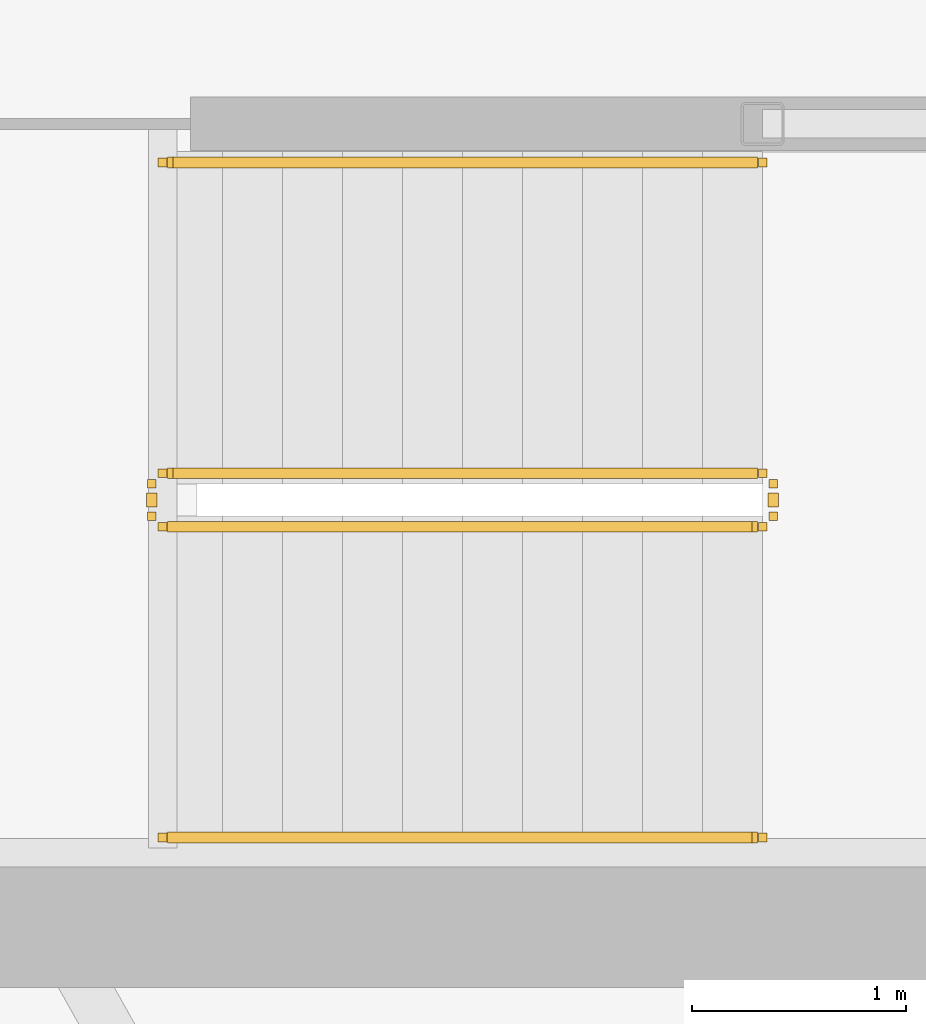
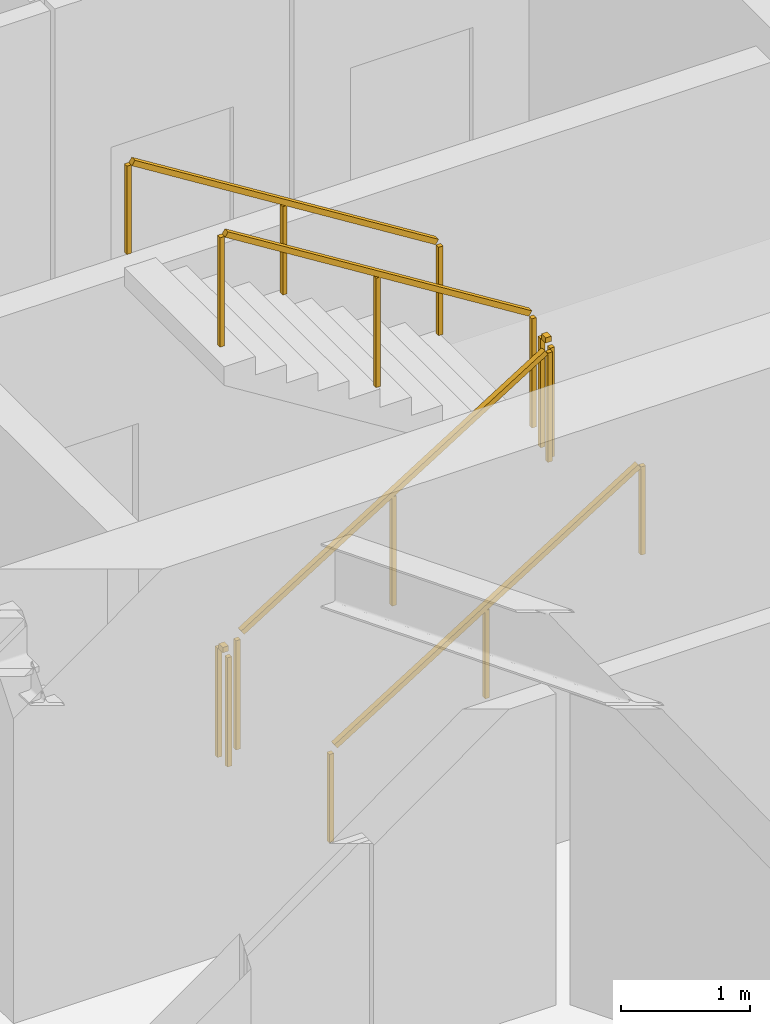
# One storey, part 27 of 30: 6 railings.
"""IFC4 building model written with IfcOpenShell, lengths in metres."""

from ifc_helpers import new_model, si_unit, direction, frame, origin, origin_2d, place, context, subcontext, project, spatial, rectangle, extrude, material, type_object, element, save


model = new_model("IFC4")

# Units and contexts
model_context = context("Model", 3, precision=1e-05, world=origin(), true_north=direction((0.0, 1.0)))
body_context = subcontext(model_context, "Body", "Model", "MODEL_VIEW")
ifc_project = project(units=[si_unit("LENGTHUNIT", "METRE"), si_unit("AREAUNIT", "SQUARE_METRE"), si_unit("VOLUMEUNIT", "CUBIC_METRE"), si_unit("PLANEANGLEUNIT", "RADIAN"), si_unit("MASSUNIT", "GRAM", prefix="KILO")], contexts=[model_context])

# Site, building, storey
site_placement = place(None, origin())
site = spatial("IfcSite", under=ifc_project, at=site_placement, CompositionType="ELEMENT")
building_placement = place(site_placement, origin())
building = spatial("IfcBuilding", under=site, at=building_placement, Name="Kazma Halo Residences", CompositionType="ELEMENT")
storey_placement = place(building_placement, frame((0.0, 0.0, 236.699951171875)))
storey = spatial("IfcBuildingStorey", under=building, at=storey_placement, Name="L59", CompositionType="ELEMENT", Elevation=236.699951171875)

# Railings
ifc_material_1 = material(Name="Painted Steel S355", Category="steel")
railing_type_1 = type_object("IfcRailingType", Name="RLG-STAIR-GRD-1100", PredefinedType="GUARDRAIL", material=ifc_material_1)
railing_1_placement = place(storey_placement, frame((53.199951171875, 35.5, 0.175048828125)))
element("IfcRailing", 1, at=railing_1_placement, inside=storey, type_object=railing_type_1, Name="L59 ST-03 stair guard 1", PredefinedType="GUARDRAIL", context=body_context, shape_type="SweptSolid", body=[
    extrude(rectangle(XDim=0.050048828125, YDim=0.050048828125, at=origin_2d()), frame((0.0361328125, 0.0, 1.09765625), z_axis=(0.848002457836, 0.0, 0.529992293815), x_axis=(0.0, 1.0, 0.0)), (0.0, 0.0, 1.0), 3.216796875),
    extrude(rectangle(XDim=0.0400390625, YDim=0.0400390625, at=origin_2d()), origin(), (0.0, 0.0, 1.0), 1.0380859375),
    extrude(rectangle(XDim=0.0400390625, YDim=0.0400390625, at=origin_2d()), frame((1.39990234375, 0.0, 0.875)), (0.0, 0.0, 1.0), 1.0380859375),
    extrude(rectangle(XDim=0.0400390625, YDim=0.0400390625, at=origin_2d()), frame((2.800048828125, 0.0, 1.75)), (0.0, 0.0, 1.0), 1.0380859375),
])
railing_2_placement = place(storey_placement, frame((56.050048828125, 35.550048828125, 1.925048828125)))
element("IfcRailing", 2, at=railing_2_placement, inside=storey, type_object=railing_type_1, Name="L59 ST-03 stair guard 2", PredefinedType="GUARDRAIL", context=body_context, shape_type="SweptSolid", body=[
    extrude(rectangle(XDim=0.050048828125, YDim=0.050048828125, at=origin_2d()), frame((0.0, 0.04248046875, 1.0751953125), z_axis=(0.0, 1.0, 0.0), x_axis=(-1.0, 0.0, 0.0)), (0.0, 0.0, 1.0), 0.06494140625),
    extrude(rectangle(XDim=0.0400390625, YDim=0.0400390625, at=origin_2d()), origin(), (0.0, 0.0, 1.0), 1.0380859375),
    extrude(rectangle(XDim=0.0400390625, YDim=0.0400390625, at=origin_2d()), frame((0.0, 0.14990234375, 0.0)), (0.0, 0.0, 1.0), 1.0380859375),
])
railing_3_placement = place(storey_placement, frame((56.0, 35.75, 2.10009765625)))
element("IfcRailing", 3, at=railing_3_placement, inside=storey, type_object=railing_type_1, Name="L59 ST-03 stair guard 3", PredefinedType="GUARDRAIL", context=body_context, shape_type="SweptSolid", body=[
    extrude(rectangle(XDim=0.050048828125, YDim=0.050048828125, at=origin_2d()), frame((-0.0361328125, 0.0, 1.09765625), z_axis=(-0.848002457836, 0.0, 0.529992293815), x_axis=(0.0, -1.0, 0.0)), (0.0, 0.0, 1.0), 3.216796875),
    extrude(rectangle(XDim=0.0400390625, YDim=0.0400390625, at=origin_2d()), origin(), (0.0, 0.0, 1.0), 1.0380859375),
    extrude(rectangle(XDim=0.0400390625, YDim=0.0400390625, at=origin_2d()), frame((-1.39990234375, 0.0, 0.875)), (0.0, 0.0, 1.0), 1.0380859375),
    extrude(rectangle(XDim=0.0400390625, YDim=0.0400390625, at=origin_2d()), frame((-2.800048828125, 0.0, 1.75)), (0.0, 0.0, 1.0), 1.0380859375),
])
railing_4_placement = place(storey_placement, frame((53.14990234375, 35.550048828125, 0.0)))
element("IfcRailing", 4, at=railing_4_placement, inside=storey, type_object=railing_type_1, Name="L59 ST-03 stair guard 4", PredefinedType="GUARDRAIL", context=body_context, shape_type="SweptSolid", body=[
    extrude(rectangle(XDim=0.050048828125, YDim=0.050048828125, at=origin_2d()), frame((0.0, 0.04248046875, 1.0751953125), z_axis=(0.0, 1.0, 0.0), x_axis=(-1.0, 0.0, 0.0)), (0.0, 0.0, 1.0), 0.06494140625),
    extrude(rectangle(XDim=0.0400390625, YDim=0.0400390625, at=origin_2d()), origin(), (0.0, 0.0, 1.0), 1.0380859375),
    extrude(rectangle(XDim=0.0400390625, YDim=0.0400390625, at=origin_2d()), frame((0.0, 0.14990234375, 0.0)), (0.0, 0.0, 1.0), 1.0380859375),
])
ifc_material_2 = material(Name="Brushed Stainless Steel", Category="steel")
railing_type_2 = type_object("IfcRailingType", Name="RLG-STAIR-HND-900", PredefinedType="HANDRAIL", material=ifc_material_2)
railing_5_placement = place(storey_placement, frame((53.199951171875, 34.050048828125, 0.175048828125)))
element("IfcRailing", 5, at=railing_5_placement, inside=storey, type_object=railing_type_2, Name="L59 ST-03 stair handrail 1", PredefinedType="HANDRAIL", context=body_context, shape_type="SweptSolid", body=[
    extrude(rectangle(XDim=0.050048828125, YDim=0.050048828125, at=origin_2d()), frame((0.0361328125, 0.0, 0.8974609375), z_axis=(0.848002457836, 0.0, 0.529992293815), x_axis=(0.0, 1.0, 0.0)), (0.0, 0.0, 1.0), 3.216796875),
    extrude(rectangle(XDim=0.0400390625, YDim=0.0400390625, at=origin_2d()), origin(), (0.0, 0.0, 1.0), 0.837890625),
    extrude(rectangle(XDim=0.0400390625, YDim=0.0400390625, at=origin_2d()), frame((1.39990234375, 0.0, 0.875)), (0.0, 0.0, 1.0), 0.837890625),
    extrude(rectangle(XDim=0.0400390625, YDim=0.0400390625, at=origin_2d()), frame((2.800048828125, 0.0, 1.75)), (0.0, 0.0, 1.0), 0.837890625),
])
railing_6_placement = place(storey_placement, frame((56.0, 37.199951171875, 2.10009765625)))
element("IfcRailing", 6, at=railing_6_placement, inside=storey, type_object=railing_type_2, Name="L59 ST-03 stair handrail 2", PredefinedType="HANDRAIL", context=body_context, shape_type="SweptSolid", body=[
    extrude(rectangle(XDim=0.050048828125, YDim=0.050048828125, at=origin_2d()), frame((-0.0361328125, 0.0, 0.8974609375), z_axis=(-0.848002457836, 0.0, 0.529992293815), x_axis=(0.0, -1.0, 0.0)), (0.0, 0.0, 1.0), 3.216796875),
    extrude(rectangle(XDim=0.0400390625, YDim=0.0400390625, at=origin_2d()), origin(), (0.0, 0.0, 1.0), 0.837890625),
    extrude(rectangle(XDim=0.0400390625, YDim=0.0400390625, at=origin_2d()), frame((-1.39990234375, 0.0, 0.875)), (0.0, 0.0, 1.0), 0.837890625),
    extrude(rectangle(XDim=0.0400390625, YDim=0.0400390625, at=origin_2d()), frame((-2.800048828125, 0.0, 1.75)), (0.0, 0.0, 1.0), 0.837890625),
])

save(model, "model.ifc")
